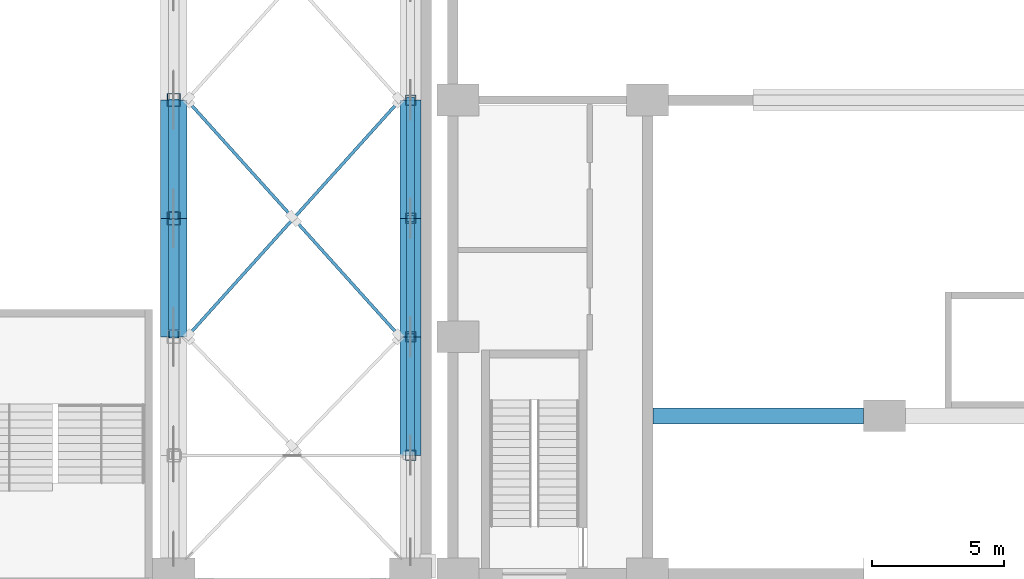
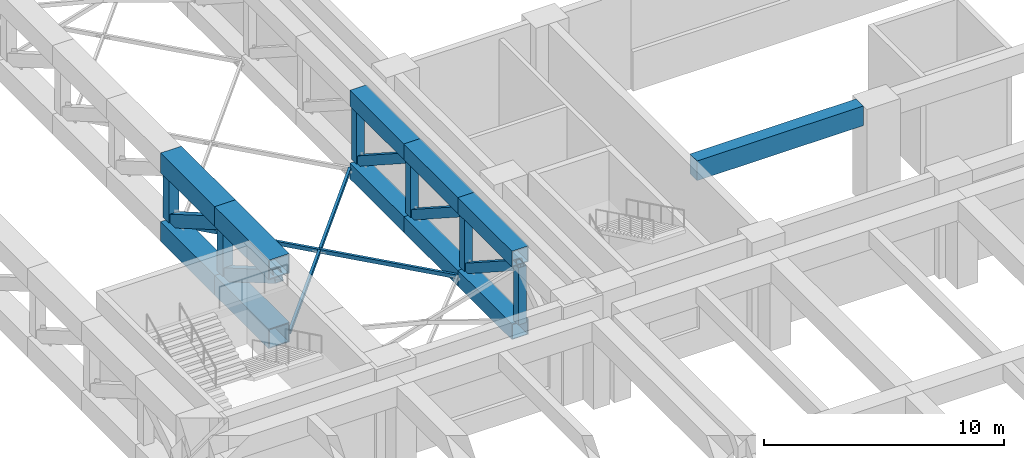
# One storey, part 12 of 76: 24 members, 1 beam.
"""IFC4 building model written with IfcOpenShell, lengths in metres."""

from ifc_helpers import new_model, si_unit, direction, frame, origin, origin_2d, place, context, subcontext, project, spatial, rectangle, hollow_rectangle, extrude, material, material_profile, profile_set, type_object, element, save


model = new_model("IFC4")

# Units and contexts
model_context = context("Model", 3, precision=1e-05, world=origin(), true_north=direction((0.0, 1.0)))
body_context = subcontext(model_context, "Body", "Model", "MODEL_VIEW")
ifc_project = project(units=[si_unit("LENGTHUNIT", "METRE"), si_unit("AREAUNIT", "SQUARE_METRE"), si_unit("VOLUMEUNIT", "CUBIC_METRE"), si_unit("PLANEANGLEUNIT", "RADIAN"), si_unit("MASSUNIT", "GRAM", prefix="KILO")], contexts=[model_context])

# Site, building, storey
site_placement = place(None, origin())
site = spatial("IfcSite", under=ifc_project, at=site_placement, CompositionType="ELEMENT")
building_placement = place(site_placement, origin())
building = spatial("IfcBuilding", under=site, at=building_placement, Name="Aravalli Gate Trade Fair Centre", CompositionType="ELEMENT")
storey_placement = place(building_placement, frame((0.0, 0.0, 10.0)))
storey = spatial("IfcBuildingStorey", under=building, at=storey_placement, Name="L02", CompositionType="ELEMENT", Elevation=10.0)

# Beam
ifc_material_1 = material(Name="Concrete M45", Category="concrete")
ifc_material_profile_1 = material_profile(ifc_material_1, rectangle(XDim=0.60009765625, YDim=1.0, at=origin_2d()), Name="RC 600x1000")
ifc_profile_set_1 = profile_set([ifc_material_profile_1], Name="Concrete M45")
beam_type = type_object("IfcBeamType", Name="Congress RC beam 600 x 1000", PredefinedType="BEAM", material=ifc_profile_set_1)
beam_placement = place(storey_placement, frame((114.199951171875, 52.0, 4.5), z_axis=(1.0, 0.0, 0.0), x_axis=(0.0, 1.0, 0.0)))
element("IfcBeam", 1, at=beam_placement, inside=storey, type_object=beam_type, Name="Scenery gallery front beam 1", PredefinedType="BEAM", context=body_context, shape_type="SweptSolid", body=[
    extrude(rectangle(XDim=0.60009765625, YDim=1.0, at=origin_2d()), origin(), (0.0, 0.0, 1.0), 8.0),
])

# Members
ifc_material_2 = material(Name="Steel E350", Category="steel")
ifc_material_profile_2 = material_profile(ifc_material_2, hollow_rectangle(XDim=0.1201171875, YDim=0.199951171875, WallThickness=0.008056640625, at=origin_2d()), Name="RHS 200x120x8")
ifc_profile_set_2 = profile_set([ifc_material_profile_2], Name="Steel E350")
member_type_1 = type_object("IfcMemberType", Name="Cross frame brace RHS 200x120x8", PredefinedType="BRACE", material=ifc_profile_set_2)
member_placement = place(storey_placement, frame((96.5, 55.0, 0.5), z_axis=(0.66896918753, 0.743290135906, 0.0), x_axis=(-0.743290135906, 0.66896918753, 0.0)))
element("IfcMember", 2, at=member_placement, inside=storey, type_object=member_type_1, Name="FT plan brace bay 11 cell 2A", PredefinedType="BRACE", context=body_context, shape_type="SweptSolid", body=[
    extrude(hollow_rectangle(XDim=0.1201171875, YDim=0.199951171875, WallThickness=0.008056640625, at=origin_2d()), origin(), (0.0, 0.0, 1.0), 12.1083984375),
])
for number, where, z_axis, x_axis, name in (
    (3, (96.5, 64.0, 0.5), (0.66896918753, -0.743290135906, 0.0), (0.743290135906, 0.66896918753, 0.0), "FT plan brace bay 11 cell 2B half 1"),
    (4, (100.550048828125, 59.5, 0.5), (0.66896918753, -0.743290135906, 0.0), (0.743290135906, 0.66896918753, 0.0), "FT plan brace bay 11 cell 2B half 2"),
):
    element("IfcMember", number, at=place(storey_placement, frame(where, z_axis=z_axis, x_axis=x_axis)), inside=storey, type_object=member_type_1, Name=name, PredefinedType="BRACE", context=body_context, shape_type="SweptSolid", body=[
        extrude(hollow_rectangle(XDim=0.1201171875, YDim=0.199951171875, WallThickness=0.008056640625, at=origin_2d()), origin(), (0.0, 0.0, 1.0), 6.05419921875),
    ])
ifc_material_profile_3 = material_profile(ifc_material_2, hollow_rectangle(XDim=1.0, YDim=1.0, WallThickness=0.050048828125, at=origin_2d()), Name="BOX 1000x1000x50")
ifc_profile_set_3 = profile_set([ifc_material_profile_3], Name="Steel E350")
member_type_2 = type_object("IfcMemberType", Name="FT1 chord BOX 1000x1000x50", PredefinedType="CHORD", material=ifc_profile_set_3)
for number, where, z_axis, x_axis, name in (
    (5, (96.0, 55.0, 0.5), (0.0, 1.0, 0.0), (-1.0, 0.0, 0.0), "FT1 line 11 bottom chord 3"),
    (6, (96.0, 55.0, 4.0), (0.0, 1.0, 0.0), (-1.0, 0.0, 0.0), "FT1 line 11 top chord 3"),
    (7, (96.0, 59.5, 0.5), (0.0, 1.0, 0.0), (-1.0, 0.0, 0.0), "FT1 line 11 bottom chord 4"),
    (8, (96.0, 59.5, 4.0), (0.0, 1.0, 0.0), (-1.0, 0.0, 0.0), "FT1 line 11 top chord 4"),
):
    element("IfcMember", number, at=place(storey_placement, frame(where, z_axis=z_axis, x_axis=x_axis)), inside=storey, type_object=member_type_2, Name=name, PredefinedType="CHORD", context=body_context, shape_type="SweptSolid", body=[
        extrude(hollow_rectangle(XDim=1.0, YDim=1.0, WallThickness=0.050048828125, at=origin_2d()), origin(), (0.0, 0.0, 1.0), 4.5),
    ])
ifc_material_profile_4 = material_profile(ifc_material_2, hollow_rectangle(XDim=0.39990234375, YDim=0.60009765625, WallThickness=0.030029296875, at=origin_2d()), Name="RHS 600x400x30")
ifc_profile_set_4 = profile_set([ifc_material_profile_4], Name="Steel E350")
member_type_3 = type_object("IfcMemberType", Name="FT1 diagonal RHS 600x400x30", PredefinedType="BRACE", material=ifc_profile_set_4)
for number, where, z_axis, x_axis, name in (
    (9, (96.0, 55.10498046875, 3.5), (0.0, 0.863999951417, -0.503491890651), (-1.0, 0.0, 0.0), "FT1 line 11 diagonal 3"),
    (10, (96.0, 59.60498046875, 3.5), (0.0, 0.863999951417, -0.503491890651), (-1.0, 0.0, 0.0), "FT1 line 11 diagonal 4"),
):
    element("IfcMember", number, at=place(storey_placement, frame(where, z_axis=z_axis, x_axis=x_axis)), inside=storey, type_object=member_type_3, Name=name, PredefinedType="BRACE", context=body_context, shape_type="SweptSolid", body=[
        extrude(hollow_rectangle(XDim=0.39990234375, YDim=0.60009765625, WallThickness=0.030029296875, at=origin_2d()), origin(), (0.0, 0.0, 1.0), 4.96533203125),
    ])
ifc_material_profile_5 = material_profile(ifc_material_2, hollow_rectangle(XDim=0.5, YDim=0.5, WallThickness=0.02490234375, at=origin_2d()), Name="BOX 500x500x25")
ifc_profile_set_5 = profile_set([ifc_material_profile_5], Name="Steel E350")
member_type_4 = type_object("IfcMemberType", Name="FT1 post BOX 500x500x25", PredefinedType="POST", material=ifc_profile_set_5)
for number, where, z_axis, x_axis, name in (
    (11, (96.0, 59.5, 1.0), (0.0, 0.0, 1.0), (1.0, 0.0, 0.0), "FT1 line 11 post 3"),
    (12, (96.0, 64.0, 1.0), (0.0, 0.0, 1.0), (1.0, 0.0, 0.0), "FT1 line 11 post 4"),
):
    element("IfcMember", number, at=place(storey_placement, frame(where, z_axis=z_axis, x_axis=x_axis)), inside=storey, type_object=member_type_4, Name=name, PredefinedType="POST", context=body_context, shape_type="SweptSolid", body=[
        extrude(hollow_rectangle(XDim=0.5, YDim=0.5, WallThickness=0.02490234375, at=origin_2d()), origin(), (0.0, 0.0, 1.0), 2.5),
    ])
ifc_material_profile_6 = material_profile(ifc_material_2, hollow_rectangle(XDim=0.800048828125, YDim=0.800048828125, WallThickness=0.0400390625, at=origin_2d()), Name="BOX 800x800x40")
ifc_profile_set_6 = profile_set([ifc_material_profile_6], Name="Steel E350")
member_type_5 = type_object("IfcMemberType", Name="FT2 chord BOX 800x800x40", PredefinedType="CHORD", material=ifc_profile_set_6)
for number, where, z_axis, x_axis, name in (
    (13, (105.0, 50.5, 0.39990234375), (0.0, 1.0, 0.0), (-1.0, 0.0, 0.0), "FT2 line 12 bottom chord 2"),
    (14, (105.0, 50.5, 4.10009765625), (0.0, 1.0, 0.0), (-1.0, 0.0, 0.0), "FT2 line 12 top chord 2"),
    (15, (105.0, 55.0, 0.39990234375), (0.0, 1.0, 0.0), (-1.0, 0.0, 0.0), "FT2 line 12 bottom chord 3"),
    (16, (105.0, 55.0, 4.10009765625), (0.0, 1.0, 0.0), (-1.0, 0.0, 0.0), "FT2 line 12 top chord 3"),
    (17, (105.0, 59.5, 0.39990234375), (0.0, 1.0, 0.0), (-1.0, 0.0, 0.0), "FT2 line 12 bottom chord 4"),
    (18, (105.0, 59.5, 4.10009765625), (0.0, 1.0, 0.0), (-1.0, 0.0, 0.0), "FT2 line 12 top chord 4"),
):
    element("IfcMember", number, at=place(storey_placement, frame(where, z_axis=z_axis, x_axis=x_axis)), inside=storey, type_object=member_type_5, Name=name, PredefinedType="CHORD", context=body_context, shape_type="SweptSolid", body=[
        extrude(hollow_rectangle(XDim=0.800048828125, YDim=0.800048828125, WallThickness=0.0400390625, at=origin_2d()), origin(), (0.0, 0.0, 1.0), 4.5),
    ])
ifc_material_profile_7 = material_profile(ifc_material_2, hollow_rectangle(XDim=0.300048828125, YDim=0.449951171875, WallThickness=0.02001953125, at=origin_2d()), Name="RHS 450x300x20")
ifc_profile_set_7 = profile_set([ifc_material_profile_7], Name="Steel E350")
member_type_6 = type_object("IfcMemberType", Name="FT2 diagonal RHS 450x300x20", PredefinedType="BRACE", material=ifc_profile_set_7)
for number, where, z_axis, x_axis, name in (
    (19, (105.0, 50.5, 3.699951171875), (0.0, 0.84057934116, -0.541688444786), (-1.0, 0.0, 0.0), "FT2 line 12 diagonal 2"),
    (20, (105.0, 55.0, 3.699951171875), (0.0, 0.84057934116, -0.541688444786), (-1.0, 0.0, 0.0), "FT2 line 12 diagonal 3"),
    (21, (105.0, 59.5, 3.699951171875), (0.0, 0.84057934116, -0.541688444786), (-1.0, 0.0, 0.0), "FT2 line 12 diagonal 4"),
):
    element("IfcMember", number, at=place(storey_placement, frame(where, z_axis=z_axis, x_axis=x_axis)), inside=storey, type_object=member_type_6, Name=name, PredefinedType="BRACE", context=body_context, shape_type="SweptSolid", body=[
        extrude(hollow_rectangle(XDim=0.300048828125, YDim=0.449951171875, WallThickness=0.02001953125, at=origin_2d()), origin(), (0.0, 0.0, 1.0), 5.353515625),
    ])
ifc_material_profile_8 = material_profile(ifc_material_2, hollow_rectangle(XDim=0.39990234375, YDim=0.39990234375, WallThickness=0.02001953125, at=origin_2d()), Name="BOX 400x400x20")
ifc_profile_set_8 = profile_set([ifc_material_profile_8], Name="Steel E350")
member_type_7 = type_object("IfcMemberType", Name="FT2 post BOX 400x400x20", PredefinedType="POST", material=ifc_profile_set_8)
for number, where, z_axis, x_axis, name in (
    (22, (105.0, 50.5, 0.800048828125), (0.0, 0.0, 1.0), (1.0, 0.0, 0.0), "FT2 line 12 post 1"),
    (23, (105.0, 55.0, 0.800048828125), (0.0, 0.0, 1.0), (1.0, 0.0, 0.0), "FT2 line 12 post 2"),
    (24, (105.0, 59.5, 0.800048828125), (0.0, 0.0, 1.0), (1.0, 0.0, 0.0), "FT2 line 12 post 3"),
    (25, (105.0, 64.0, 0.800048828125), (0.0, 0.0, 1.0), (1.0, 0.0, 0.0), "FT2 line 12 post 4"),
):
    element("IfcMember", number, at=place(storey_placement, frame(where, z_axis=z_axis, x_axis=x_axis)), inside=storey, type_object=member_type_7, Name=name, PredefinedType="POST", context=body_context, shape_type="SweptSolid", body=[
        extrude(hollow_rectangle(XDim=0.39990234375, YDim=0.39990234375, WallThickness=0.02001953125, at=origin_2d()), origin(), (0.0, 0.0, 1.0), 2.89990234375),
    ])

save(model, "model.ifc")
